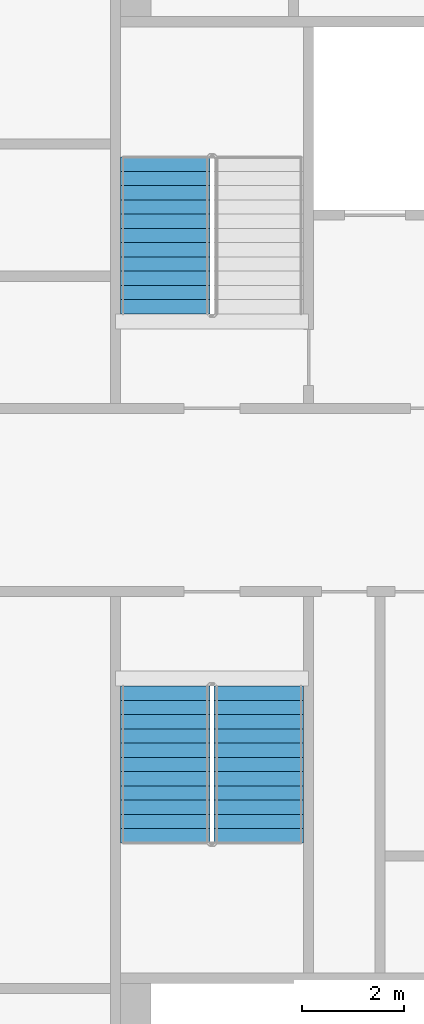
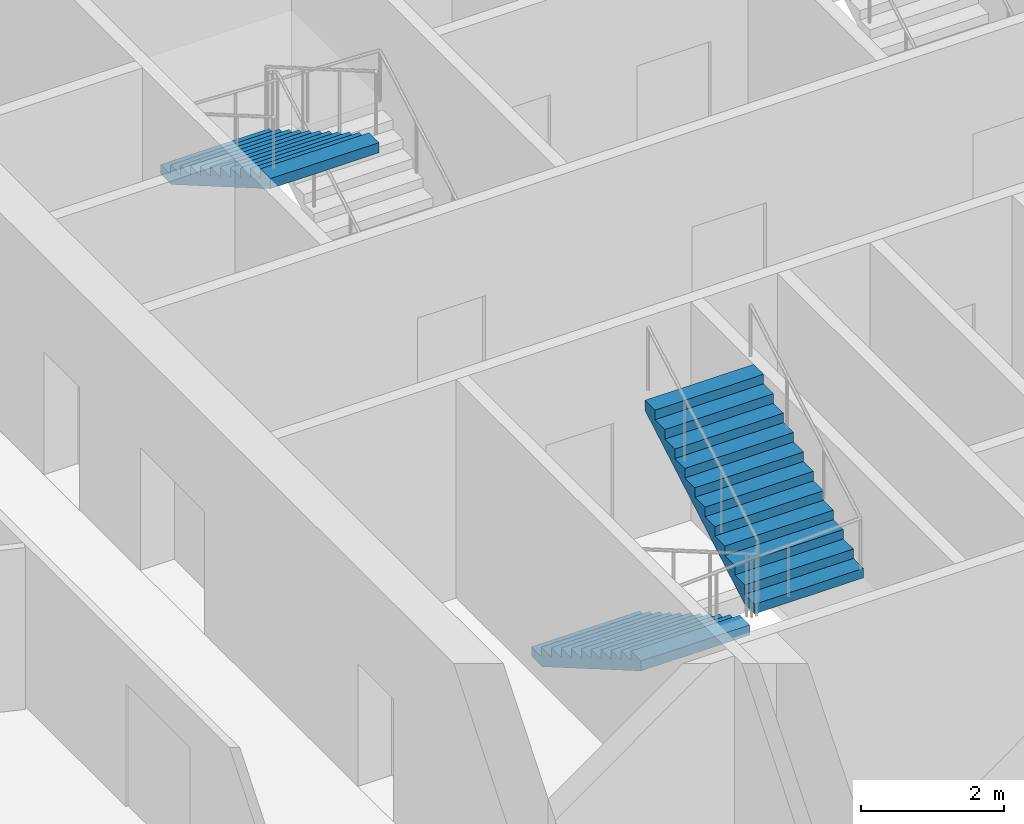
# One storey, part 14 of 21: 3 stair flights, 2 elements without a shape of their own.
"""IFC4 building model written with IfcOpenShell, lengths in metres."""

from ifc_helpers import new_model, si_unit, direction, frame, origin, place, context, subcontext, project, spatial, faceted_brep, material, type_object, element, aggregate, save


model = new_model("IFC4")

# Units and contexts
model_context = context("Model", 3, precision=1e-05, world=origin(), true_north=direction((0.0, 1.0)))
body_context = subcontext(model_context, "Body", "Model", "MODEL_VIEW")
ifc_project = project(units=[si_unit("LENGTHUNIT", "METRE"), si_unit("AREAUNIT", "SQUARE_METRE"), si_unit("VOLUMEUNIT", "CUBIC_METRE"), si_unit("PLANEANGLEUNIT", "RADIAN"), si_unit("MASSUNIT", "GRAM", prefix="KILO")], contexts=[model_context])

# Site, building, storey
site_placement = place(None, origin())
site = spatial("IfcSite", under=ifc_project, at=site_placement, CompositionType="ELEMENT")
building_placement = place(site_placement, origin())
building = spatial("IfcBuilding", under=site, at=building_placement, Name="Tarsis Ring Headquarters", CompositionType="ELEMENT")
storey_placement = place(building_placement, frame((0.0, 0.0, 208.199951171875)))
storey = spatial("IfcBuildingStorey", under=building, at=storey_placement, Name="L48", CompositionType="ELEMENT", Elevation=208.199951171875)

# Stair, stair flight
ifc_material_1 = material(Name="Core stair 1760")
stair_type = type_object("IfcStairType", Name="Core stair 1760", PredefinedType="HALF_TURN_STAIR", material=ifc_material_1)
stair_1_placement = place(storey_placement, origin())
stair_1 = element("IfcStair", 1, at=stair_1_placement, inside=storey, type_object=stair_type, Name="L48 Firefighting stair", PredefinedType="HALF_TURN_STAIR")
ifc_material_2 = material(Name="Concrete C40/50", Category="concrete")
stair_flight_type = type_object("IfcStairFlightType", Name="Core stair flight 1760", PredefinedType="STRAIGHT", material=ifc_material_2)
stair_flight_1_placement = place(storey_placement, frame((-5.419921875, 6.739990234375, 1.949951171875), z_axis=(0.0, 0.0, 1.0), x_axis=(0.0, -1.0, 0.0)))
stair_flight_1 = element("IfcStairFlight", 2, at=stair_flight_1_placement, type_object=stair_flight_type, Name="Stair ST1 flight 2", NumberOfRisers=12, NumberOfTreads=11, PredefinedType="STRAIGHT", RiserHeight=0.1625, TreadLength=0.28, context=body_context, shape_type="Brep", body=[
    faceted_brep([(0.0, 0.8798828125, 0.0), (0.0, 0.8798828125, 0.16259765625), (0.280029296875, 0.8798828125, 0.16259765625), (0.280029296875, 0.8798828125, 0.324951171875), (0.56005859375, 0.8798828125, 0.324951171875), (0.56005859375, 0.8798828125, 0.487548828125), (0.840087890625, 0.8798828125, 0.487548828125), (0.840087890625, 0.8798828125, 0.64990234375), (1.1201171875, 0.8798828125, 0.64990234375), (1.1201171875, 0.8798828125, 0.8125), (1.39990234375, 0.8798828125, 0.8125), (1.39990234375, 0.8798828125, 0.97509765625), (1.679931640625, 0.8798828125, 0.97509765625), (1.679931640625, 0.8798828125, 1.137451171875), (1.9599609375, 0.8798828125, 1.137451171875), (1.9599609375, 0.8798828125, 1.300048828125), (2.239990234375, 0.8798828125, 1.300048828125), (2.239990234375, 0.8798828125, 1.46240234375), (2.52001953125, 0.8798828125, 1.46240234375), (2.52001953125, 0.8798828125, 1.625), (2.800048828125, 0.8798828125, 1.625), (2.800048828125, 0.8798828125, 1.78759765625), (3.080078125, 0.8798828125, 1.78759765625), (3.080078125, 0.8798828125, 1.6142578125), (0.298583984375, 0.8798828125, 0.0), (0.298583984375, -0.8798828125, 0.0), (3.080078125, -0.8798828125, 1.6142578125), (3.080078125, -0.8798828125, 1.78759765625), (2.800048828125, -0.8798828125, 1.78759765625), (2.800048828125, -0.8798828125, 1.625), (2.52001953125, -0.8798828125, 1.625), (2.52001953125, -0.8798828125, 1.46240234375), (2.239990234375, -0.8798828125, 1.46240234375), (2.239990234375, -0.8798828125, 1.300048828125), (1.9599609375, -0.8798828125, 1.300048828125), (1.9599609375, -0.8798828125, 1.137451171875), (1.679931640625, -0.8798828125, 1.137451171875), (1.679931640625, -0.8798828125, 0.97509765625), (1.39990234375, -0.8798828125, 0.97509765625), (1.39990234375, -0.8798828125, 0.8125), (1.1201171875, -0.8798828125, 0.8125), (1.1201171875, -0.8798828125, 0.64990234375), (0.840087890625, -0.8798828125, 0.64990234375), (0.840087890625, -0.8798828125, 0.487548828125), (0.56005859375, -0.8798828125, 0.487548828125), (0.56005859375, -0.8798828125, 0.324951171875), (0.280029296875, -0.8798828125, 0.324951171875), (0.280029296875, -0.8798828125, 0.16259765625), (0.0, -0.8798828125, 0.16259765625), (0.0, -0.8798828125, 0.0), (0.0, -0.43994140625, 0.16259765625), (0.0, -0.43994140625, 0.0), (0.0, 0.0, 0.16259765625), (0.0, 0.0, 0.0), (0.0, 0.43994140625, 0.16259765625), (0.0, 0.43994140625, 0.0), (0.280029296875, -0.43994140625, 0.16259765625), (0.280029296875, 0.0, 0.16259765625), (0.280029296875, 0.43994140625, 0.16259765625), (0.280029296875, -0.43994140625, 0.324951171875), (0.280029296875, 0.0, 0.324951171875), (0.280029296875, 0.43994140625, 0.324951171875), (0.56005859375, -0.43994140625, 0.324951171875), (0.56005859375, 0.0, 0.324951171875), (0.56005859375, 0.43994140625, 0.324951171875), (0.56005859375, -0.43994140625, 0.487548828125), (0.56005859375, 0.0, 0.487548828125), (0.56005859375, 0.43994140625, 0.487548828125), (0.840087890625, -0.43994140625, 0.487548828125), (0.840087890625, 0.0, 0.487548828125), (0.840087890625, 0.43994140625, 0.487548828125), (0.840087890625, -0.43994140625, 0.64990234375), (0.840087890625, 0.0, 0.64990234375), (0.840087890625, 0.43994140625, 0.64990234375), (1.1201171875, -0.43994140625, 0.64990234375), (1.1201171875, 0.0, 0.64990234375), (1.1201171875, 0.43994140625, 0.64990234375), (1.1201171875, -0.43994140625, 0.8125), (1.1201171875, 0.0, 0.8125), (1.1201171875, 0.43994140625, 0.8125), (1.39990234375, -0.43994140625, 0.8125), (1.39990234375, 0.0, 0.8125), (1.39990234375, 0.43994140625, 0.8125), (1.39990234375, -0.43994140625, 0.97509765625), (1.39990234375, 0.0, 0.97509765625), (1.39990234375, 0.43994140625, 0.97509765625), (1.679931640625, -0.43994140625, 0.97509765625), (1.679931640625, 0.0, 0.97509765625), (1.679931640625, 0.43994140625, 0.97509765625), (1.679931640625, -0.43994140625, 1.137451171875), (1.679931640625, 0.0, 1.137451171875), (1.679931640625, 0.43994140625, 1.137451171875), (1.9599609375, -0.43994140625, 1.137451171875), (1.9599609375, 0.0, 1.137451171875), (1.9599609375, 0.43994140625, 1.137451171875), (1.9599609375, -0.43994140625, 1.300048828125), (1.9599609375, 0.0, 1.300048828125), (1.9599609375, 0.43994140625, 1.300048828125), (2.239990234375, -0.43994140625, 1.300048828125), (2.239990234375, 0.0, 1.300048828125), (2.239990234375, 0.43994140625, 1.300048828125), (2.239990234375, -0.43994140625, 1.46240234375), (2.239990234375, 0.0, 1.46240234375), (2.239990234375, 0.43994140625, 1.46240234375), (2.52001953125, -0.43994140625, 1.46240234375), (2.52001953125, 0.0, 1.46240234375), (2.52001953125, 0.43994140625, 1.46240234375), (2.52001953125, -0.43994140625, 1.625), (2.52001953125, 0.0, 1.625), (2.52001953125, 0.43994140625, 1.625), (2.800048828125, -0.43994140625, 1.625), (2.800048828125, 0.0, 1.625), (2.800048828125, 0.43994140625, 1.625), (2.800048828125, -0.43994140625, 1.78759765625), (2.800048828125, 0.0, 1.78759765625), (2.800048828125, 0.43994140625, 1.78759765625), (3.080078125, -0.43994140625, 1.78759765625), (3.080078125, 0.0, 1.78759765625), (3.080078125, 0.43994140625, 1.78759765625), (3.080078125, -0.43994140625, 1.6142578125), (3.080078125, 0.0, 1.6142578125), (3.080078125, 0.43994140625, 1.6142578125), (0.298583984375, -0.43994140625, 0.0), (0.298583984375, 0.0, 0.0), (0.298583984375, 0.43994140625, 0.0)], [[[0, 1, 2, 3, 4, 5, 6, 7, 8, 9, 10, 11, 12, 13, 14, 15, 16, 17, 18, 19, 20, 21, 22, 23, 24]], [[25, 26, 27, 28, 29, 30, 31, 32, 33, 34, 35, 36, 37, 38, 39, 40, 41, 42, 43, 44, 45, 46, 47, 48, 49]], [[49, 48, 50, 51]], [[51, 50, 52, 53]], [[53, 52, 54, 55]], [[55, 54, 1, 0]], [[48, 47, 56, 50]], [[50, 56, 57, 52]], [[52, 57, 58, 54]], [[54, 58, 2, 1]], [[47, 46, 59, 56]], [[56, 59, 60, 57]], [[57, 60, 61, 58]], [[58, 61, 3, 2]], [[46, 45, 62, 59]], [[59, 62, 63, 60]], [[60, 63, 64, 61]], [[61, 64, 4, 3]], [[45, 44, 65, 62]], [[62, 65, 66, 63]], [[63, 66, 67, 64]], [[64, 67, 5, 4]], [[44, 43, 68, 65]], [[65, 68, 69, 66]], [[66, 69, 70, 67]], [[67, 70, 6, 5]], [[43, 42, 71, 68]], [[68, 71, 72, 69]], [[69, 72, 73, 70]], [[70, 73, 7, 6]], [[42, 41, 74, 71]], [[71, 74, 75, 72]], [[72, 75, 76, 73]], [[73, 76, 8, 7]], [[41, 40, 77, 74]], [[74, 77, 78, 75]], [[75, 78, 79, 76]], [[76, 79, 9, 8]], [[40, 39, 80, 77]], [[77, 80, 81, 78]], [[78, 81, 82, 79]], [[79, 82, 10, 9]], [[39, 38, 83, 80]], [[80, 83, 84, 81]], [[81, 84, 85, 82]], [[82, 85, 11, 10]], [[38, 37, 86, 83]], [[83, 86, 87, 84]], [[84, 87, 88, 85]], [[85, 88, 12, 11]], [[37, 36, 89, 86]], [[86, 89, 90, 87]], [[87, 90, 91, 88]], [[88, 91, 13, 12]], [[36, 35, 92, 89]], [[89, 92, 93, 90]], [[90, 93, 94, 91]], [[91, 94, 14, 13]], [[35, 34, 95, 92]], [[92, 95, 96, 93]], [[93, 96, 97, 94]], [[94, 97, 15, 14]], [[34, 33, 98, 95]], [[95, 98, 99, 96]], [[96, 99, 100, 97]], [[97, 100, 16, 15]], [[33, 32, 101, 98]], [[98, 101, 102, 99]], [[99, 102, 103, 100]], [[100, 103, 17, 16]], [[32, 31, 104, 101]], [[101, 104, 105, 102]], [[102, 105, 106, 103]], [[103, 106, 18, 17]], [[31, 30, 107, 104]], [[104, 107, 108, 105]], [[105, 108, 109, 106]], [[106, 109, 19, 18]], [[30, 29, 110, 107]], [[107, 110, 111, 108]], [[108, 111, 112, 109]], [[109, 112, 20, 19]], [[29, 28, 113, 110]], [[110, 113, 114, 111]], [[111, 114, 115, 112]], [[112, 115, 21, 20]], [[28, 27, 116, 113]], [[113, 116, 117, 114]], [[114, 117, 118, 115]], [[115, 118, 22, 21]], [[27, 26, 119, 116]], [[116, 119, 120, 117]], [[117, 120, 121, 118]], [[118, 121, 23, 22]], [[26, 25, 122, 119]], [[119, 122, 123, 120]], [[120, 123, 124, 121]], [[121, 124, 24, 23]], [[25, 49, 51, 122]], [[122, 51, 53, 123]], [[123, 53, 55, 124]], [[124, 55, 0, 24]]]),
])
aggregate(stair_1, [stair_flight_1])

# Stair, stair flights
stair_2_placement = place(storey_placement, origin())
stair_2 = element("IfcStair", 3, at=stair_2_placement, inside=storey, type_object=stair_type, Name="L48 Exit stair C", PredefinedType="HALF_TURN_STAIR")
stair_flight_2_placement = place(storey_placement, frame((-5.419921875, -3.659912109375, 0.0), z_axis=(0.0, 0.0, 1.0), x_axis=(0.0, -1.0, 0.0)))
stair_flight_2 = element("IfcStairFlight", 4, at=stair_flight_2_placement, type_object=stair_flight_type, Name="Stair ST3 flight 1", NumberOfRisers=12, NumberOfTreads=11, PredefinedType="STRAIGHT", RiserHeight=0.1625, TreadLength=0.28, context=body_context, shape_type="Brep", body=[
    faceted_brep([(0.0, 0.8798828125, 0.0), (0.0, 0.8798828125, 0.16259765625), (0.280029296875, 0.8798828125, 0.16259765625), (0.280029296875, 0.8798828125, 0.324951171875), (0.56005859375, 0.8798828125, 0.324951171875), (0.56005859375, 0.8798828125, 0.487548828125), (0.840087890625, 0.8798828125, 0.487548828125), (0.840087890625, 0.8798828125, 0.64990234375), (1.1201171875, 0.8798828125, 0.64990234375), (1.1201171875, 0.8798828125, 0.8125), (1.39990234375, 0.8798828125, 0.8125), (1.39990234375, 0.8798828125, 0.97509765625), (1.679931640625, 0.8798828125, 0.97509765625), (1.679931640625, 0.8798828125, 1.137451171875), (1.9599609375, 0.8798828125, 1.137451171875), (1.9599609375, 0.8798828125, 1.300048828125), (2.239990234375, 0.8798828125, 1.300048828125), (2.239990234375, 0.8798828125, 1.46240234375), (2.52001953125, 0.8798828125, 1.46240234375), (2.52001953125, 0.8798828125, 1.625), (2.800048828125, 0.8798828125, 1.625), (2.800048828125, 0.8798828125, 1.78759765625), (3.080078125, 0.8798828125, 1.78759765625), (3.080078125, 0.8798828125, 1.6142578125), (0.298583984375, 0.8798828125, 0.0), (0.298583984375, -0.8798828125, 0.0), (3.080078125, -0.8798828125, 1.6142578125), (3.080078125, -0.8798828125, 1.78759765625), (2.800048828125, -0.8798828125, 1.78759765625), (2.800048828125, -0.8798828125, 1.625), (2.52001953125, -0.8798828125, 1.625), (2.52001953125, -0.8798828125, 1.46240234375), (2.239990234375, -0.8798828125, 1.46240234375), (2.239990234375, -0.8798828125, 1.300048828125), (1.9599609375, -0.8798828125, 1.300048828125), (1.9599609375, -0.8798828125, 1.137451171875), (1.679931640625, -0.8798828125, 1.137451171875), (1.679931640625, -0.8798828125, 0.97509765625), (1.39990234375, -0.8798828125, 0.97509765625), (1.39990234375, -0.8798828125, 0.8125), (1.1201171875, -0.8798828125, 0.8125), (1.1201171875, -0.8798828125, 0.64990234375), (0.840087890625, -0.8798828125, 0.64990234375), (0.840087890625, -0.8798828125, 0.487548828125), (0.56005859375, -0.8798828125, 0.487548828125), (0.56005859375, -0.8798828125, 0.324951171875), (0.280029296875, -0.8798828125, 0.324951171875), (0.280029296875, -0.8798828125, 0.16259765625), (0.0, -0.8798828125, 0.16259765625), (0.0, -0.8798828125, 0.0), (0.0, -0.43994140625, 0.16259765625), (0.0, -0.43994140625, 0.0), (0.0, 0.0, 0.16259765625), (0.0, 0.0, 0.0), (0.0, 0.43994140625, 0.16259765625), (0.0, 0.43994140625, 0.0), (0.280029296875, -0.43994140625, 0.16259765625), (0.280029296875, 0.0, 0.16259765625), (0.280029296875, 0.43994140625, 0.16259765625), (0.280029296875, -0.43994140625, 0.324951171875), (0.280029296875, 0.0, 0.324951171875), (0.280029296875, 0.43994140625, 0.324951171875), (0.56005859375, -0.43994140625, 0.324951171875), (0.56005859375, 0.0, 0.324951171875), (0.56005859375, 0.43994140625, 0.324951171875), (0.56005859375, -0.43994140625, 0.487548828125), (0.56005859375, 0.0, 0.487548828125), (0.56005859375, 0.43994140625, 0.487548828125), (0.840087890625, -0.43994140625, 0.487548828125), (0.840087890625, 0.0, 0.487548828125), (0.840087890625, 0.43994140625, 0.487548828125), (0.840087890625, -0.43994140625, 0.64990234375), (0.840087890625, 0.0, 0.64990234375), (0.840087890625, 0.43994140625, 0.64990234375), (1.1201171875, -0.43994140625, 0.64990234375), (1.1201171875, 0.0, 0.64990234375), (1.1201171875, 0.43994140625, 0.64990234375), (1.1201171875, -0.43994140625, 0.8125), (1.1201171875, 0.0, 0.8125), (1.1201171875, 0.43994140625, 0.8125), (1.39990234375, -0.43994140625, 0.8125), (1.39990234375, 0.0, 0.8125), (1.39990234375, 0.43994140625, 0.8125), (1.39990234375, -0.43994140625, 0.97509765625), (1.39990234375, 0.0, 0.97509765625), (1.39990234375, 0.43994140625, 0.97509765625), (1.679931640625, -0.43994140625, 0.97509765625), (1.679931640625, 0.0, 0.97509765625), (1.679931640625, 0.43994140625, 0.97509765625), (1.679931640625, -0.43994140625, 1.137451171875), (1.679931640625, 0.0, 1.137451171875), (1.679931640625, 0.43994140625, 1.137451171875), (1.9599609375, -0.43994140625, 1.137451171875), (1.9599609375, 0.0, 1.137451171875), (1.9599609375, 0.43994140625, 1.137451171875), (1.9599609375, -0.43994140625, 1.300048828125), (1.9599609375, 0.0, 1.300048828125), (1.9599609375, 0.43994140625, 1.300048828125), (2.239990234375, -0.43994140625, 1.300048828125), (2.239990234375, 0.0, 1.300048828125), (2.239990234375, 0.43994140625, 1.300048828125), (2.239990234375, -0.43994140625, 1.46240234375), (2.239990234375, 0.0, 1.46240234375), (2.239990234375, 0.43994140625, 1.46240234375), (2.52001953125, -0.43994140625, 1.46240234375), (2.52001953125, 0.0, 1.46240234375), (2.52001953125, 0.43994140625, 1.46240234375), (2.52001953125, -0.43994140625, 1.625), (2.52001953125, 0.0, 1.625), (2.52001953125, 0.43994140625, 1.625), (2.800048828125, -0.43994140625, 1.625), (2.800048828125, 0.0, 1.625), (2.800048828125, 0.43994140625, 1.625), (2.800048828125, -0.43994140625, 1.78759765625), (2.800048828125, 0.0, 1.78759765625), (2.800048828125, 0.43994140625, 1.78759765625), (3.080078125, -0.43994140625, 1.78759765625), (3.080078125, 0.0, 1.78759765625), (3.080078125, 0.43994140625, 1.78759765625), (3.080078125, -0.43994140625, 1.6142578125), (3.080078125, 0.0, 1.6142578125), (3.080078125, 0.43994140625, 1.6142578125), (0.298583984375, -0.43994140625, 0.0), (0.298583984375, 0.0, 0.0), (0.298583984375, 0.43994140625, 0.0)], [[[0, 1, 2, 3, 4, 5, 6, 7, 8, 9, 10, 11, 12, 13, 14, 15, 16, 17, 18, 19, 20, 21, 22, 23, 24]], [[25, 26, 27, 28, 29, 30, 31, 32, 33, 34, 35, 36, 37, 38, 39, 40, 41, 42, 43, 44, 45, 46, 47, 48, 49]], [[49, 48, 50, 51]], [[51, 50, 52, 53]], [[53, 52, 54, 55]], [[55, 54, 1, 0]], [[48, 47, 56, 50]], [[50, 56, 57, 52]], [[52, 57, 58, 54]], [[54, 58, 2, 1]], [[47, 46, 59, 56]], [[56, 59, 60, 57]], [[57, 60, 61, 58]], [[58, 61, 3, 2]], [[46, 45, 62, 59]], [[59, 62, 63, 60]], [[60, 63, 64, 61]], [[61, 64, 4, 3]], [[45, 44, 65, 62]], [[62, 65, 66, 63]], [[63, 66, 67, 64]], [[64, 67, 5, 4]], [[44, 43, 68, 65]], [[65, 68, 69, 66]], [[66, 69, 70, 67]], [[67, 70, 6, 5]], [[43, 42, 71, 68]], [[68, 71, 72, 69]], [[69, 72, 73, 70]], [[70, 73, 7, 6]], [[42, 41, 74, 71]], [[71, 74, 75, 72]], [[72, 75, 76, 73]], [[73, 76, 8, 7]], [[41, 40, 77, 74]], [[74, 77, 78, 75]], [[75, 78, 79, 76]], [[76, 79, 9, 8]], [[40, 39, 80, 77]], [[77, 80, 81, 78]], [[78, 81, 82, 79]], [[79, 82, 10, 9]], [[39, 38, 83, 80]], [[80, 83, 84, 81]], [[81, 84, 85, 82]], [[82, 85, 11, 10]], [[38, 37, 86, 83]], [[83, 86, 87, 84]], [[84, 87, 88, 85]], [[85, 88, 12, 11]], [[37, 36, 89, 86]], [[86, 89, 90, 87]], [[87, 90, 91, 88]], [[88, 91, 13, 12]], [[36, 35, 92, 89]], [[89, 92, 93, 90]], [[90, 93, 94, 91]], [[91, 94, 14, 13]], [[35, 34, 95, 92]], [[92, 95, 96, 93]], [[93, 96, 97, 94]], [[94, 97, 15, 14]], [[34, 33, 98, 95]], [[95, 98, 99, 96]], [[96, 99, 100, 97]], [[97, 100, 16, 15]], [[33, 32, 101, 98]], [[98, 101, 102, 99]], [[99, 102, 103, 100]], [[100, 103, 17, 16]], [[32, 31, 104, 101]], [[101, 104, 105, 102]], [[102, 105, 106, 103]], [[103, 106, 18, 17]], [[31, 30, 107, 104]], [[104, 107, 108, 105]], [[105, 108, 109, 106]], [[106, 109, 19, 18]], [[30, 29, 110, 107]], [[107, 110, 111, 108]], [[108, 111, 112, 109]], [[109, 112, 20, 19]], [[29, 28, 113, 110]], [[110, 113, 114, 111]], [[111, 114, 115, 112]], [[112, 115, 21, 20]], [[28, 27, 116, 113]], [[113, 116, 117, 114]], [[114, 117, 118, 115]], [[115, 118, 22, 21]], [[27, 26, 119, 116]], [[116, 119, 120, 117]], [[117, 120, 121, 118]], [[118, 121, 23, 22]], [[26, 25, 122, 119]], [[119, 122, 123, 120]], [[120, 123, 124, 121]], [[121, 124, 24, 23]], [[25, 49, 51, 122]], [[122, 51, 53, 123]], [[123, 53, 55, 124]], [[124, 55, 0, 24]]]),
])
stair_flight_3_placement = place(storey_placement, frame((-3.580078125, -6.739990234375, 1.949951171875), z_axis=(0.0, 0.0, 1.0), x_axis=(0.0, 1.0, 0.0)))
stair_flight_3 = element("IfcStairFlight", 5, at=stair_flight_3_placement, type_object=stair_flight_type, Name="Stair ST3 flight 2", NumberOfRisers=12, NumberOfTreads=11, PredefinedType="STRAIGHT", RiserHeight=0.1625, TreadLength=0.28, context=body_context, shape_type="Brep", body=[
    faceted_brep([(0.0, 0.8798828125, 0.0), (0.0, 0.8798828125, 0.16259765625), (0.280029296875, 0.8798828125, 0.16259765625), (0.280029296875, 0.8798828125, 0.324951171875), (0.56005859375, 0.8798828125, 0.324951171875), (0.56005859375, 0.8798828125, 0.487548828125), (0.840087890625, 0.8798828125, 0.487548828125), (0.840087890625, 0.8798828125, 0.64990234375), (1.1201171875, 0.8798828125, 0.64990234375), (1.1201171875, 0.8798828125, 0.8125), (1.39990234375, 0.8798828125, 0.8125), (1.39990234375, 0.8798828125, 0.97509765625), (1.679931640625, 0.8798828125, 0.97509765625), (1.679931640625, 0.8798828125, 1.137451171875), (1.9599609375, 0.8798828125, 1.137451171875), (1.9599609375, 0.8798828125, 1.300048828125), (2.239990234375, 0.8798828125, 1.300048828125), (2.239990234375, 0.8798828125, 1.46240234375), (2.52001953125, 0.8798828125, 1.46240234375), (2.52001953125, 0.8798828125, 1.625), (2.800048828125, 0.8798828125, 1.625), (2.800048828125, 0.8798828125, 1.78759765625), (3.080078125, 0.8798828125, 1.78759765625), (3.080078125, 0.8798828125, 1.6142578125), (0.298583984375, 0.8798828125, 0.0), (0.298583984375, -0.8798828125, 0.0), (3.080078125, -0.8798828125, 1.6142578125), (3.080078125, -0.8798828125, 1.78759765625), (2.800048828125, -0.8798828125, 1.78759765625), (2.800048828125, -0.8798828125, 1.625), (2.52001953125, -0.8798828125, 1.625), (2.52001953125, -0.8798828125, 1.46240234375), (2.239990234375, -0.8798828125, 1.46240234375), (2.239990234375, -0.8798828125, 1.300048828125), (1.9599609375, -0.8798828125, 1.300048828125), (1.9599609375, -0.8798828125, 1.137451171875), (1.679931640625, -0.8798828125, 1.137451171875), (1.679931640625, -0.8798828125, 0.97509765625), (1.39990234375, -0.8798828125, 0.97509765625), (1.39990234375, -0.8798828125, 0.8125), (1.1201171875, -0.8798828125, 0.8125), (1.1201171875, -0.8798828125, 0.64990234375), (0.840087890625, -0.8798828125, 0.64990234375), (0.840087890625, -0.8798828125, 0.487548828125), (0.56005859375, -0.8798828125, 0.487548828125), (0.56005859375, -0.8798828125, 0.324951171875), (0.280029296875, -0.8798828125, 0.324951171875), (0.280029296875, -0.8798828125, 0.16259765625), (0.0, -0.8798828125, 0.16259765625), (0.0, -0.8798828125, 0.0), (0.0, -0.43994140625, 0.16259765625), (0.0, -0.43994140625, 0.0), (0.0, 0.0, 0.16259765625), (0.0, 0.0, 0.0), (0.0, 0.43994140625, 0.16259765625), (0.0, 0.43994140625, 0.0), (0.280029296875, -0.43994140625, 0.16259765625), (0.280029296875, 0.0, 0.16259765625), (0.280029296875, 0.43994140625, 0.16259765625), (0.280029296875, -0.43994140625, 0.324951171875), (0.280029296875, 0.0, 0.324951171875), (0.280029296875, 0.43994140625, 0.324951171875), (0.56005859375, -0.43994140625, 0.324951171875), (0.56005859375, 0.0, 0.324951171875), (0.56005859375, 0.43994140625, 0.324951171875), (0.56005859375, -0.43994140625, 0.487548828125), (0.56005859375, 0.0, 0.487548828125), (0.56005859375, 0.43994140625, 0.487548828125), (0.840087890625, -0.43994140625, 0.487548828125), (0.840087890625, 0.0, 0.487548828125), (0.840087890625, 0.43994140625, 0.487548828125), (0.840087890625, -0.43994140625, 0.64990234375), (0.840087890625, 0.0, 0.64990234375), (0.840087890625, 0.43994140625, 0.64990234375), (1.1201171875, -0.43994140625, 0.64990234375), (1.1201171875, 0.0, 0.64990234375), (1.1201171875, 0.43994140625, 0.64990234375), (1.1201171875, -0.43994140625, 0.8125), (1.1201171875, 0.0, 0.8125), (1.1201171875, 0.43994140625, 0.8125), (1.39990234375, -0.43994140625, 0.8125), (1.39990234375, 0.0, 0.8125), (1.39990234375, 0.43994140625, 0.8125), (1.39990234375, -0.43994140625, 0.97509765625), (1.39990234375, 0.0, 0.97509765625), (1.39990234375, 0.43994140625, 0.97509765625), (1.679931640625, -0.43994140625, 0.97509765625), (1.679931640625, 0.0, 0.97509765625), (1.679931640625, 0.43994140625, 0.97509765625), (1.679931640625, -0.43994140625, 1.137451171875), (1.679931640625, 0.0, 1.137451171875), (1.679931640625, 0.43994140625, 1.137451171875), (1.9599609375, -0.43994140625, 1.137451171875), (1.9599609375, 0.0, 1.137451171875), (1.9599609375, 0.43994140625, 1.137451171875), (1.9599609375, -0.43994140625, 1.300048828125), (1.9599609375, 0.0, 1.300048828125), (1.9599609375, 0.43994140625, 1.300048828125), (2.239990234375, -0.43994140625, 1.300048828125), (2.239990234375, 0.0, 1.300048828125), (2.239990234375, 0.43994140625, 1.300048828125), (2.239990234375, -0.43994140625, 1.46240234375), (2.239990234375, 0.0, 1.46240234375), (2.239990234375, 0.43994140625, 1.46240234375), (2.52001953125, -0.43994140625, 1.46240234375), (2.52001953125, 0.0, 1.46240234375), (2.52001953125, 0.43994140625, 1.46240234375), (2.52001953125, -0.43994140625, 1.625), (2.52001953125, 0.0, 1.625), (2.52001953125, 0.43994140625, 1.625), (2.800048828125, -0.43994140625, 1.625), (2.800048828125, 0.0, 1.625), (2.800048828125, 0.43994140625, 1.625), (2.800048828125, -0.43994140625, 1.78759765625), (2.800048828125, 0.0, 1.78759765625), (2.800048828125, 0.43994140625, 1.78759765625), (3.080078125, -0.43994140625, 1.78759765625), (3.080078125, 0.0, 1.78759765625), (3.080078125, 0.43994140625, 1.78759765625), (3.080078125, -0.43994140625, 1.6142578125), (3.080078125, 0.0, 1.6142578125), (3.080078125, 0.43994140625, 1.6142578125), (0.298583984375, -0.43994140625, 0.0), (0.298583984375, 0.0, 0.0), (0.298583984375, 0.43994140625, 0.0)], [[[0, 1, 2, 3, 4, 5, 6, 7, 8, 9, 10, 11, 12, 13, 14, 15, 16, 17, 18, 19, 20, 21, 22, 23, 24]], [[25, 26, 27, 28, 29, 30, 31, 32, 33, 34, 35, 36, 37, 38, 39, 40, 41, 42, 43, 44, 45, 46, 47, 48, 49]], [[49, 48, 50, 51]], [[51, 50, 52, 53]], [[53, 52, 54, 55]], [[55, 54, 1, 0]], [[48, 47, 56, 50]], [[50, 56, 57, 52]], [[52, 57, 58, 54]], [[54, 58, 2, 1]], [[47, 46, 59, 56]], [[56, 59, 60, 57]], [[57, 60, 61, 58]], [[58, 61, 3, 2]], [[46, 45, 62, 59]], [[59, 62, 63, 60]], [[60, 63, 64, 61]], [[61, 64, 4, 3]], [[45, 44, 65, 62]], [[62, 65, 66, 63]], [[63, 66, 67, 64]], [[64, 67, 5, 4]], [[44, 43, 68, 65]], [[65, 68, 69, 66]], [[66, 69, 70, 67]], [[67, 70, 6, 5]], [[43, 42, 71, 68]], [[68, 71, 72, 69]], [[69, 72, 73, 70]], [[70, 73, 7, 6]], [[42, 41, 74, 71]], [[71, 74, 75, 72]], [[72, 75, 76, 73]], [[73, 76, 8, 7]], [[41, 40, 77, 74]], [[74, 77, 78, 75]], [[75, 78, 79, 76]], [[76, 79, 9, 8]], [[40, 39, 80, 77]], [[77, 80, 81, 78]], [[78, 81, 82, 79]], [[79, 82, 10, 9]], [[39, 38, 83, 80]], [[80, 83, 84, 81]], [[81, 84, 85, 82]], [[82, 85, 11, 10]], [[38, 37, 86, 83]], [[83, 86, 87, 84]], [[84, 87, 88, 85]], [[85, 88, 12, 11]], [[37, 36, 89, 86]], [[86, 89, 90, 87]], [[87, 90, 91, 88]], [[88, 91, 13, 12]], [[36, 35, 92, 89]], [[89, 92, 93, 90]], [[90, 93, 94, 91]], [[91, 94, 14, 13]], [[35, 34, 95, 92]], [[92, 95, 96, 93]], [[93, 96, 97, 94]], [[94, 97, 15, 14]], [[34, 33, 98, 95]], [[95, 98, 99, 96]], [[96, 99, 100, 97]], [[97, 100, 16, 15]], [[33, 32, 101, 98]], [[98, 101, 102, 99]], [[99, 102, 103, 100]], [[100, 103, 17, 16]], [[32, 31, 104, 101]], [[101, 104, 105, 102]], [[102, 105, 106, 103]], [[103, 106, 18, 17]], [[31, 30, 107, 104]], [[104, 107, 108, 105]], [[105, 108, 109, 106]], [[106, 109, 19, 18]], [[30, 29, 110, 107]], [[107, 110, 111, 108]], [[108, 111, 112, 109]], [[109, 112, 20, 19]], [[29, 28, 113, 110]], [[110, 113, 114, 111]], [[111, 114, 115, 112]], [[112, 115, 21, 20]], [[28, 27, 116, 113]], [[113, 116, 117, 114]], [[114, 117, 118, 115]], [[115, 118, 22, 21]], [[27, 26, 119, 116]], [[116, 119, 120, 117]], [[117, 120, 121, 118]], [[118, 121, 23, 22]], [[26, 25, 122, 119]], [[119, 122, 123, 120]], [[120, 123, 124, 121]], [[121, 124, 24, 23]], [[25, 49, 51, 122]], [[122, 51, 53, 123]], [[123, 53, 55, 124]], [[124, 55, 0, 24]]]),
])
aggregate(stair_2, [stair_flight_2, stair_flight_3])

save(model, "model.ifc")
